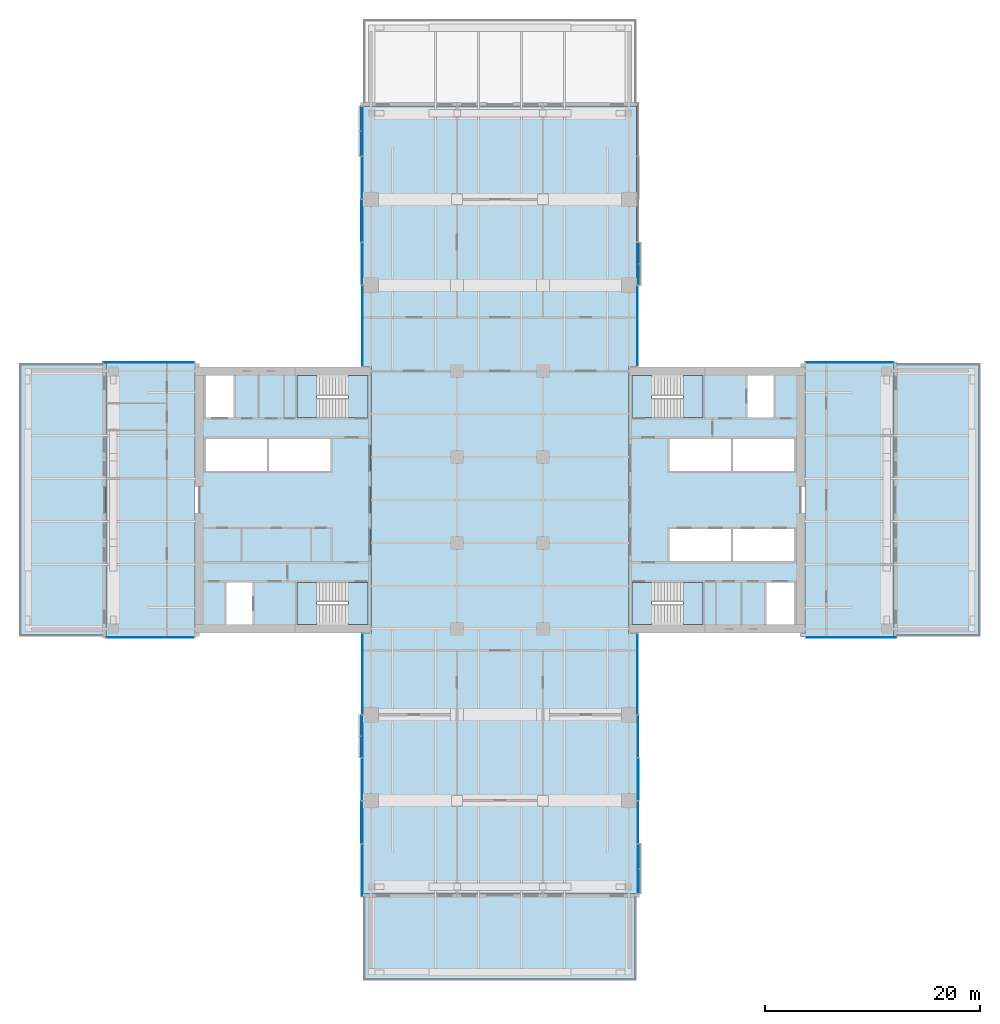
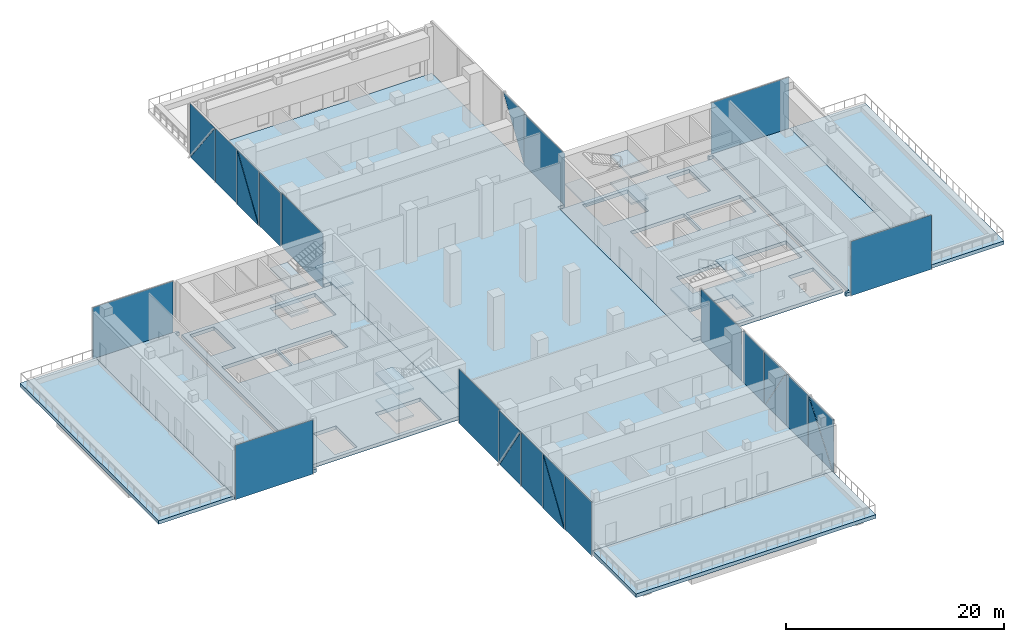
# One storey, part 12 of 23: 27 plates, 20 slabs, 16 elements without a shape of their own.
"""IFC4 building model written with IfcOpenShell, lengths in metres."""

from ifc_helpers import new_model, si_unit, direction, frame, origin, place, context, subcontext, project, spatial, polyline, outline, extrude, material, layer, layer_set, type_object, element, aggregate, save


model = new_model("IFC4")

# Units and contexts
model_context = context("Model", 3, precision=1e-05, world=origin(), true_north=direction((0.0, 1.0)))
body_context = subcontext(model_context, "Body", "Model", "MODEL_VIEW")
ifc_project = project(units=[si_unit("LENGTHUNIT", "METRE"), si_unit("AREAUNIT", "SQUARE_METRE"), si_unit("VOLUMEUNIT", "CUBIC_METRE"), si_unit("PLANEANGLEUNIT", "RADIAN"), si_unit("MASSUNIT", "GRAM", prefix="KILO")], contexts=[model_context])

# Site, building, storey
site_placement = place(None, origin())
site = spatial("IfcSite", under=ifc_project, at=site_placement, CompositionType="ELEMENT")
building_placement = place(site_placement, origin())
building = spatial("IfcBuilding", under=site, at=building_placement, Name="Crosswind Convention Tower", CompositionType="ELEMENT")
storey_placement = place(building_placement, frame((0.0, 0.0, 47.5)))
storey = spatial("IfcBuildingStorey", under=building, at=storey_placement, Name="L06", CompositionType="ELEMENT", Elevation=47.5)

# Slabs
ifc_material_1 = material(Name="Concrete C40/50", Category="concrete")
ifc_layer_1 = layer(ifc_material_1, 0.39990234375)
ifc_layer_set_1 = layer_set([ifc_layer_1], Name="Concrete C40/50")
slab_type_1 = type_object("IfcSlabType", Name="Composite floor slab 400", PredefinedType="FLOOR", material=ifc_layer_set_1)
slab_1_placement = place(storey_placement, frame((0.0, 0.0, -0.39990234375)))
element("IfcSlab", 1, at=slab_1_placement, inside=storey, type_object=slab_type_1, Name="Floor slab L06 part 1", PredefinedType="FLOOR", context=body_context, shape_type="SweptSolid", body=[
    extrude(outline(polyline([(97.0, 87.300048828125), (89.0, 87.300048828125), (88.300048828125, 87.300048828125), (88.300048828125, 88.0), (88.300048828125, 112.0), (88.300048828125, 112.699951171875), (89.0, 112.699951171875), (97.0, 112.699951171875), (97.0, 112.449951171875), (96.550048828125, 112.449951171875), (96.550048828125, 87.550048828125), (97.0, 87.550048828125), (97.0, 87.300048828125)])), origin(), (0.0, 0.0, 1.0), 0.39990234375),
])
slab_2_placement = place(storey_placement, frame((0.0, 0.0, -0.39990234375)))
element("IfcSlab", 2, at=slab_2_placement, inside=storey, type_object=slab_type_1, Name="Floor slab L06 part 2", PredefinedType="FLOOR", context=body_context, shape_type="SweptSolid", body=[
    extrude(outline(polyline([(112.300048828125, 87.550048828125), (113.0, 87.550048828125), (113.0, 112.449951171875), (112.300048828125, 112.449951171875), (112.300048828125, 136.0), (112.300048828125, 136.699951171875), (113.0, 136.699951171875), (137.0, 136.699951171875), (137.699951171875, 136.699951171875), (137.699951171875, 136.0), (137.699951171875, 112.449951171875), (137.0, 112.449951171875), (137.0, 87.550048828125), (137.699951171875, 87.550048828125), (137.699951171875, 64.0), (137.699951171875, 63.300048828125), (137.0, 63.300048828125), (113.0, 63.300048828125), (112.300048828125, 63.300048828125), (112.300048828125, 64.0), (112.300048828125, 87.550048828125)])), origin(), (0.0, 0.0, 1.0), 0.39990234375),
])
slab_3_placement = place(storey_placement, frame((0.0, 0.0, -0.39990234375)))
element("IfcSlab", 3, at=slab_3_placement, inside=storey, type_object=slab_type_1, Name="Floor slab L06 part 3", PredefinedType="FLOOR", context=body_context, shape_type="SweptSolid", body=[
    extrude(outline(polyline([(153.0, 112.699951171875), (161.0, 112.699951171875), (161.699951171875, 112.699951171875), (161.699951171875, 112.0), (161.699951171875, 88.0), (161.699951171875, 87.300048828125), (161.0, 87.300048828125), (153.0, 87.300048828125), (153.0, 87.550048828125), (153.449951171875, 87.550048828125), (153.449951171875, 112.449951171875), (153.0, 112.449951171875), (153.0, 112.699951171875)])), origin(), (0.0, 0.0, 1.0), 0.39990234375),
])
ifc_layer_2 = layer(ifc_material_1, 0.39990234375)
ifc_layer_set_2 = layer_set([ifc_layer_2], Name="Concrete C40/50")
slab_type_2 = type_object("IfcSlabType", Name="Concrete core floor slab 400", PredefinedType="FLOOR", material=ifc_layer_set_2)
slab_4_placement = place(storey_placement, frame((0.0, 0.0, -0.39990234375)))
element("IfcSlab", 4, at=slab_4_placement, inside=storey, type_object=slab_type_2, Name="Core floor slab E L06", PredefinedType="FLOOR", context=body_context, shape_type="SweptSolid", body=[
    extrude(outline(polyline([(137.0, 88.0), (153.0, 88.0), (153.0, 112.0), (137.0, 112.0), (137.0, 88.0)]), holes=[polyline([(146.5, 102.699951171875), (146.5, 105.699951171875), (140.800048828125, 105.699951171875), (140.800048828125, 102.699951171875), (146.5, 102.699951171875)]), polyline([(152.39990234375, 102.699951171875), (152.39990234375, 105.699951171875), (146.699951171875, 105.699951171875), (146.699951171875, 102.699951171875), (152.39990234375, 102.699951171875)]), polyline([(146.5, 94.300048828125), (146.5, 97.300048828125), (140.800048828125, 97.300048828125), (140.800048828125, 94.300048828125), (146.5, 94.300048828125)]), polyline([(152.39990234375, 94.300048828125), (152.39990234375, 97.300048828125), (146.699951171875, 97.300048828125), (146.699951171875, 94.300048828125), (152.39990234375, 94.300048828125)]), polyline([(150.449951171875, 107.699951171875), (150.449951171875, 111.60009765625), (148.050048828125, 111.60009765625), (148.050048828125, 107.699951171875), (150.449951171875, 107.699951171875)]), polyline([(152.39990234375, 88.39990234375), (152.39990234375, 92.300048828125), (149.800048828125, 92.300048828125), (149.800048828125, 88.39990234375), (152.39990234375, 88.39990234375)]), polyline([(143.89990234375, 107.699951171875), (143.89990234375, 111.60009765625), (139.14990234375, 111.60009765625), (139.14990234375, 107.699951171875), (143.89990234375, 107.699951171875)]), polyline([(143.89990234375, 88.39990234375), (143.89990234375, 92.300048828125), (139.14990234375, 92.300048828125), (139.14990234375, 88.39990234375), (143.89990234375, 88.39990234375)])]), origin(), (0.0, 0.0, 1.0), 0.39990234375),
])
slab_5_placement = place(storey_placement, frame((0.0, 0.0, -0.39990234375)))
element("IfcSlab", 5, at=slab_5_placement, inside=storey, type_object=slab_type_2, Name="Core floor slab W L06", PredefinedType="FLOOR", context=body_context, shape_type="SweptSolid", body=[
    extrude(outline(polyline([(97.0, 88.0), (113.0, 88.0), (113.0, 112.0), (97.0, 112.0), (97.0, 88.0)]), holes=[polyline([(109.199951171875, 102.699951171875), (109.199951171875, 105.699951171875), (103.5, 105.699951171875), (103.5, 102.699951171875), (109.199951171875, 102.699951171875)]), polyline([(103.300048828125, 102.699951171875), (103.300048828125, 105.699951171875), (97.60009765625, 105.699951171875), (97.60009765625, 102.699951171875), (103.300048828125, 102.699951171875)]), polyline([(101.949951171875, 88.39990234375), (101.949951171875, 92.300048828125), (99.550048828125, 92.300048828125), (99.550048828125, 88.39990234375), (101.949951171875, 88.39990234375)]), polyline([(100.199951171875, 107.699951171875), (100.199951171875, 111.60009765625), (97.60009765625, 111.60009765625), (97.60009765625, 107.699951171875), (100.199951171875, 107.699951171875)]), polyline([(110.85009765625, 88.39990234375), (110.85009765625, 92.300048828125), (106.10009765625, 92.300048828125), (106.10009765625, 88.39990234375), (110.85009765625, 88.39990234375)]), polyline([(110.85009765625, 107.699951171875), (110.85009765625, 111.60009765625), (106.10009765625, 111.60009765625), (106.10009765625, 107.699951171875), (110.85009765625, 107.699951171875)])]), origin(), (0.0, 0.0, 1.0), 0.39990234375),
])

# Stair, slabs
stair_type = type_object("IfcStairType", Name="Exit stair 1800 wide, 4 flights of 11 risers", PredefinedType="HALF_TURN_STAIR", material=ifc_material_1)
stair_1_placement = place(storey_placement, origin())
stair_1 = element("IfcStair", 6, at=stair_1_placement, inside=storey, type_object=stair_type, Name="Exit stair ST1 L06", ObjectType="ST6", PredefinedType="HALF_TURN_STAIR")
ifc_layer_3 = layer(ifc_material_1, 0.199951171875)
ifc_layer_set_3 = layer_set([ifc_layer_3], Name="Concrete C40/50")
slab_type_3 = type_object("IfcSlabType", Name="Stair landing 200", PredefinedType="LANDING", material=ifc_layer_set_3)
slab_6_placement = place(storey_placement, frame((0.0, 0.0, 1.300048828125)))
slab_6 = element("IfcSlab", 7, at=slab_6_placement, type_object=slab_type_3, Name="ST1 landing 1", PredefinedType="LANDING", context=body_context, shape_type="SweptSolid", body=[
    extrude(outline(polyline([(143.89990234375, 107.699951171875), (143.89990234375, 111.60009765625), (142.050048828125, 111.60009765625), (142.050048828125, 107.699951171875), (143.89990234375, 107.699951171875)])), origin(), (0.0, 0.0, 1.0), 0.199951171875),
])
slab_7_placement = place(storey_placement, frame((0.0, 0.0, 2.800048828125)))
slab_7 = element("IfcSlab", 8, at=slab_7_placement, type_object=slab_type_3, Name="ST1 landing 2", PredefinedType="LANDING", context=body_context, shape_type="SweptSolid", body=[
    extrude(outline(polyline([(139.14990234375, 107.699951171875), (139.14990234375, 111.60009765625), (137.300048828125, 111.60009765625), (137.300048828125, 107.699951171875), (139.14990234375, 107.699951171875)])), origin(), (0.0, 0.0, 1.0), 0.199951171875),
])
slab_8_placement = place(storey_placement, frame((0.0, 0.0, 4.300048828125)))
slab_8 = element("IfcSlab", 9, at=slab_8_placement, type_object=slab_type_3, Name="ST1 landing 3", PredefinedType="LANDING", context=body_context, shape_type="SweptSolid", body=[
    extrude(outline(polyline([(143.89990234375, 107.699951171875), (143.89990234375, 111.60009765625), (142.050048828125, 111.60009765625), (142.050048828125, 107.699951171875), (143.89990234375, 107.699951171875)])), origin(), (0.0, 0.0, 1.0), 0.199951171875),
])
aggregate(stair_1, [slab_6, slab_7, slab_8])

stair_2_placement = place(storey_placement, origin())
stair_2 = element("IfcStair", 10, at=stair_2_placement, inside=storey, type_object=stair_type, Name="Exit stair ST2 L06", ObjectType="ST6", PredefinedType="HALF_TURN_STAIR")
slab_9_placement = place(storey_placement, frame((0.0, 0.0, 1.300048828125)))
slab_9 = element("IfcSlab", 11, at=slab_9_placement, type_object=slab_type_3, Name="ST2 landing 1", PredefinedType="LANDING", context=body_context, shape_type="SweptSolid", body=[
    extrude(outline(polyline([(143.89990234375, 88.39990234375), (143.89990234375, 92.300048828125), (142.050048828125, 92.300048828125), (142.050048828125, 88.39990234375), (143.89990234375, 88.39990234375)])), origin(), (0.0, 0.0, 1.0), 0.199951171875),
])
slab_10_placement = place(storey_placement, frame((0.0, 0.0, 2.800048828125)))
slab_10 = element("IfcSlab", 12, at=slab_10_placement, type_object=slab_type_3, Name="ST2 landing 2", PredefinedType="LANDING", context=body_context, shape_type="SweptSolid", body=[
    extrude(outline(polyline([(139.14990234375, 88.39990234375), (139.14990234375, 92.300048828125), (137.300048828125, 92.300048828125), (137.300048828125, 88.39990234375), (139.14990234375, 88.39990234375)])), origin(), (0.0, 0.0, 1.0), 0.199951171875),
])
slab_11_placement = place(storey_placement, frame((0.0, 0.0, 4.300048828125)))
slab_11 = element("IfcSlab", 13, at=slab_11_placement, type_object=slab_type_3, Name="ST2 landing 3", PredefinedType="LANDING", context=body_context, shape_type="SweptSolid", body=[
    extrude(outline(polyline([(143.89990234375, 88.39990234375), (143.89990234375, 92.300048828125), (142.050048828125, 92.300048828125), (142.050048828125, 88.39990234375), (143.89990234375, 88.39990234375)])), origin(), (0.0, 0.0, 1.0), 0.199951171875),
])
aggregate(stair_2, [slab_9, slab_10, slab_11])

stair_3_placement = place(storey_placement, origin())
stair_3 = element("IfcStair", 14, at=stair_3_placement, inside=storey, type_object=stair_type, Name="Exit stair ST3 L06", ObjectType="ST6", PredefinedType="HALF_TURN_STAIR")
slab_12_placement = place(storey_placement, frame((0.0, 0.0, 1.300048828125)))
slab_12 = element("IfcSlab", 15, at=slab_12_placement, type_object=slab_type_3, Name="ST3 landing 1", PredefinedType="LANDING", context=body_context, shape_type="SweptSolid", body=[
    extrude(outline(polyline([(107.949951171875, 88.39990234375), (107.949951171875, 92.300048828125), (106.10009765625, 92.300048828125), (106.10009765625, 88.39990234375), (107.949951171875, 88.39990234375)])), origin(), (0.0, 0.0, 1.0), 0.199951171875),
])
slab_13_placement = place(storey_placement, frame((0.0, 0.0, 2.800048828125)))
slab_13 = element("IfcSlab", 16, at=slab_13_placement, type_object=slab_type_3, Name="ST3 landing 2", PredefinedType="LANDING", context=body_context, shape_type="SweptSolid", body=[
    extrude(outline(polyline([(112.699951171875, 88.39990234375), (112.699951171875, 92.300048828125), (110.85009765625, 92.300048828125), (110.85009765625, 88.39990234375), (112.699951171875, 88.39990234375)])), origin(), (0.0, 0.0, 1.0), 0.199951171875),
])
slab_14_placement = place(storey_placement, frame((0.0, 0.0, 4.300048828125)))
slab_14 = element("IfcSlab", 17, at=slab_14_placement, type_object=slab_type_3, Name="ST3 landing 3", PredefinedType="LANDING", context=body_context, shape_type="SweptSolid", body=[
    extrude(outline(polyline([(107.949951171875, 88.39990234375), (107.949951171875, 92.300048828125), (106.10009765625, 92.300048828125), (106.10009765625, 88.39990234375), (107.949951171875, 88.39990234375)])), origin(), (0.0, 0.0, 1.0), 0.199951171875),
])
aggregate(stair_3, [slab_12, slab_13, slab_14])

stair_4_placement = place(storey_placement, origin())
stair_4 = element("IfcStair", 18, at=stair_4_placement, inside=storey, type_object=stair_type, Name="Exit stair ST4 L06", ObjectType="ST6", PredefinedType="HALF_TURN_STAIR")
slab_15_placement = place(storey_placement, frame((0.0, 0.0, 1.300048828125)))
slab_15 = element("IfcSlab", 19, at=slab_15_placement, type_object=slab_type_3, Name="ST4 landing 1", PredefinedType="LANDING", context=body_context, shape_type="SweptSolid", body=[
    extrude(outline(polyline([(107.949951171875, 107.699951171875), (107.949951171875, 111.60009765625), (106.10009765625, 111.60009765625), (106.10009765625, 107.699951171875), (107.949951171875, 107.699951171875)])), origin(), (0.0, 0.0, 1.0), 0.199951171875),
])
slab_16_placement = place(storey_placement, frame((0.0, 0.0, 2.800048828125)))
slab_16 = element("IfcSlab", 20, at=slab_16_placement, type_object=slab_type_3, Name="ST4 landing 2", PredefinedType="LANDING", context=body_context, shape_type="SweptSolid", body=[
    extrude(outline(polyline([(112.699951171875, 107.699951171875), (112.699951171875, 111.60009765625), (110.85009765625, 111.60009765625), (110.85009765625, 107.699951171875), (112.699951171875, 107.699951171875)])), origin(), (0.0, 0.0, 1.0), 0.199951171875),
])
slab_17_placement = place(storey_placement, frame((0.0, 0.0, 4.300048828125)))
slab_17 = element("IfcSlab", 21, at=slab_17_placement, type_object=slab_type_3, Name="ST4 landing 3", PredefinedType="LANDING", context=body_context, shape_type="SweptSolid", body=[
    extrude(outline(polyline([(107.949951171875, 107.699951171875), (107.949951171875, 111.60009765625), (106.10009765625, 111.60009765625), (106.10009765625, 107.699951171875), (107.949951171875, 107.699951171875)])), origin(), (0.0, 0.0, 1.0), 0.199951171875),
])
aggregate(stair_4, [slab_15, slab_16, slab_17])

# Slabs
ifc_layer_4 = layer(ifc_material_1, 0.39990234375)
ifc_layer_set_4 = layer_set([ifc_layer_4], Name="Concrete C40/50")
slab_type_4 = type_object("IfcSlabType", Name="TERRACE SLAB 400", PredefinedType="USERDEFINED", material=ifc_layer_set_4)
slab_18_placement = place(storey_placement, frame((0.0, 0.0, -0.39990234375)))
element("IfcSlab", 22, at=slab_18_placement, inside=storey, type_object=slab_type_4, Name="Terrace L06 W", ObjectType="TERRACE", PredefinedType="USERDEFINED", context=body_context, shape_type="SweptSolid", body=[
    extrude(outline(polyline([(80.300048828125, 88.0), (80.300048828125, 112.0), (80.300048828125, 112.699951171875), (81.0, 112.699951171875), (88.300048828125, 112.699951171875), (88.300048828125, 112.0), (88.300048828125, 88.0), (88.300048828125, 87.300048828125), (81.0, 87.300048828125), (80.300048828125, 87.300048828125), (80.300048828125, 88.0)])), origin(), (0.0, 0.0, 1.0), 0.39990234375),
])
slab_19_placement = place(storey_placement, frame((0.0, 0.0, -0.39990234375)))
element("IfcSlab", 23, at=slab_19_placement, inside=storey, type_object=slab_type_4, Name="Terrace L06 S", ObjectType="TERRACE", PredefinedType="USERDEFINED", context=body_context, shape_type="SweptSolid", body=[
    extrude(outline(polyline([(137.0, 63.300048828125), (137.699951171875, 63.300048828125), (137.699951171875, 56.0), (137.699951171875, 55.300048828125), (137.0, 55.300048828125), (113.0, 55.300048828125), (112.300048828125, 55.300048828125), (112.300048828125, 56.0), (112.300048828125, 63.300048828125), (113.0, 63.300048828125), (137.0, 63.300048828125)])), origin(), (0.0, 0.0, 1.0), 0.39990234375),
])
slab_20_placement = place(storey_placement, frame((0.0, 0.0, -0.39990234375)))
element("IfcSlab", 24, at=slab_20_placement, inside=storey, type_object=slab_type_4, Name="Terrace L06 E", ObjectType="TERRACE", PredefinedType="USERDEFINED", context=body_context, shape_type="SweptSolid", body=[
    extrude(outline(polyline([(169.699951171875, 112.0), (169.699951171875, 88.0), (169.699951171875, 87.300048828125), (169.0, 87.300048828125), (161.699951171875, 87.300048828125), (161.699951171875, 88.0), (161.699951171875, 112.0), (161.699951171875, 112.699951171875), (169.0, 112.699951171875), (169.699951171875, 112.699951171875), (169.699951171875, 112.0)])), origin(), (0.0, 0.0, 1.0), 0.39990234375),
])

# Curtain wall, plate
ifc_material_2 = material(Name="Aluminium unitised curtain wall", Category="aluminium")
curtain_wall_type_1 = type_object("IfcCurtainWallType", Name="CORE END SLOT WALL 160", PredefinedType="USERDEFINED", material=ifc_material_2)
curtain_wall_1_placement = place(storey_placement, origin())
curtain_wall_1 = element("IfcCurtainWall", 25, at=curtain_wall_1_placement, inside=storey, type_object=curtain_wall_type_1, Name="CW6 L06 E-N.1-1 slot", ObjectType="UNITISED", PredefinedType="USERDEFINED")
ifc_material_3 = material(Name="Laminated insulating glass unit", Category="glass")
ifc_layer_5 = layer(ifc_material_3, 0.02587890625)
ifc_layer_set_5 = layer_set([ifc_layer_5], Name="TRIANGULAR GLASS PANEL 26")
plate_type_1 = type_object("IfcPlateType", Name="TRIANGULAR GLASS PANEL 26", PredefinedType="CURTAIN_PANEL", material=ifc_layer_set_5)
plate_1_placement = place(storey_placement, frame((161.64990234375, 112.80712890625, -0.39990234375), z_axis=(0.0, 0.999999919109, 0.000402220223), x_axis=(-1.0, 0.0, 0.0)))
plate_1 = element("IfcPlate", 26, at=plate_1_placement, type_object=plate_type_1, Name="CW6 panel 1.1", PredefinedType="CURTAIN_PANEL", context=body_context, shape_type="SweptSolid", body=[
    extrude(outline(polyline([(0.0, 0.0), (8.199951171875, 0.0), (8.199951171875, 6.0698247097415035), (0.0, 6.0698247097415035), (0.0, 0.0)])), origin(), (0.0, 0.0, -1.0), 0.02587890625),
])
aggregate(curtain_wall_1, [plate_1])

curtain_wall_2_placement = place(storey_placement, origin())
curtain_wall_2 = element("IfcCurtainWall", 27, at=curtain_wall_2_placement, inside=storey, type_object=curtain_wall_type_1, Name="CW6 L06 N-E.1-1 slot", ObjectType="UNITISED", PredefinedType="USERDEFINED")
plate_2_placement = place(storey_placement, frame((137.80712890625, 112.449951171875, -0.39990234375), z_axis=(0.999999919109, 0.0, 0.000402220223), x_axis=(0.0, 1.0, 0.0)))
plate_2 = element("IfcPlate", 28, at=plate_2_placement, type_object=plate_type_1, Name="CW6 panel 1.1", PredefinedType="CURTAIN_PANEL", context=body_context, shape_type="SweptSolid", body=[
    extrude(outline(polyline([(0.0, 0.0), (7.5, 0.0), (7.5, 6.0698247097415035), (0.0, 6.0698247097415035), (0.0, 0.0)])), origin(), (0.0, 0.0, -1.0), 0.02587890625),
])
aggregate(curtain_wall_2, [plate_2])

curtain_wall_3_placement = place(storey_placement, origin())
curtain_wall_3 = element("IfcCurtainWall", 29, at=curtain_wall_3_placement, inside=storey, type_object=curtain_wall_type_1, Name="CW6 L06 N-W.1-3 slot", ObjectType="UNITISED", PredefinedType="USERDEFINED")
plate_3_placement = place(storey_placement, frame((112.19287109375, 119.949951171875, -0.39990234375), z_axis=(-0.999999919109, 0.0, 0.000402220223), x_axis=(0.0, -1.0, 0.0)))
plate_3 = element("IfcPlate", 30, at=plate_3_placement, type_object=plate_type_1, Name="CW6 panel 1.1", PredefinedType="CURTAIN_PANEL", context=body_context, shape_type="SweptSolid", body=[
    extrude(outline(polyline([(0.0, 0.0), (7.5, 0.0), (7.5, 6.0698247097415035), (0.0, 6.0698247097415035), (0.0, 0.0)])), origin(), (0.0, 0.0, -1.0), 0.02587890625),
])
aggregate(curtain_wall_3, [plate_3])

curtain_wall_4_placement = place(storey_placement, origin())
curtain_wall_4 = element("IfcCurtainWall", 31, at=curtain_wall_4_placement, inside=storey, type_object=curtain_wall_type_1, Name="CW6 L06 W-N.2-1 slot", ObjectType="UNITISED", PredefinedType="USERDEFINED")
plate_4_placement = place(storey_placement, frame((96.550048828125, 112.80712890625, -0.39990234375), z_axis=(0.0, 0.999999919109, 0.000402220223), x_axis=(-1.0, 0.0, 0.0)))
plate_4 = element("IfcPlate", 32, at=plate_4_placement, type_object=plate_type_1, Name="CW6 panel 1.1", PredefinedType="CURTAIN_PANEL", context=body_context, shape_type="SweptSolid", body=[
    extrude(outline(polyline([(0.0, 0.0), (8.5, 0.0), (8.5, 6.0698247097415035), (0.0, 6.0698247097415035), (0.0, 0.0)])), origin(), (0.0, 0.0, -1.0), 0.02587890625),
])
aggregate(curtain_wall_4, [plate_4])

curtain_wall_5_placement = place(storey_placement, origin())
curtain_wall_5 = element("IfcCurtainWall", 33, at=curtain_wall_5_placement, inside=storey, type_object=curtain_wall_type_1, Name="CW6 L06 W-S.1-1 slot", ObjectType="UNITISED", PredefinedType="USERDEFINED")
plate_5_placement = place(storey_placement, frame((88.35009765625, 87.19287109375, -0.39990234375), z_axis=(0.0, -0.999999919109, 0.000402220223), x_axis=(1.0, 0.0, 0.0)))
plate_5 = element("IfcPlate", 34, at=plate_5_placement, type_object=plate_type_1, Name="CW6 panel 1.1", PredefinedType="CURTAIN_PANEL", context=body_context, shape_type="SweptSolid", body=[
    extrude(outline(polyline([(0.0, 0.0), (8.199951171875, 0.0), (8.199951171875, 6.0698247097415035), (0.0, 6.0698247097415035), (0.0, 0.0)])), origin(), (0.0, 0.0, -1.0), 0.02587890625),
])
aggregate(curtain_wall_5, [plate_5])

curtain_wall_6_placement = place(storey_placement, origin())
curtain_wall_6 = element("IfcCurtainWall", 35, at=curtain_wall_6_placement, inside=storey, type_object=curtain_wall_type_1, Name="CW6 L06 S-W.1-1 slot", ObjectType="UNITISED", PredefinedType="USERDEFINED")
plate_6_placement = place(storey_placement, frame((112.19287109375, 87.550048828125, -0.39990234375), z_axis=(-0.999999919109, 0.0, 0.000402220223), x_axis=(0.0, -1.0, 0.0)))
plate_6 = element("IfcPlate", 36, at=plate_6_placement, type_object=plate_type_1, Name="CW6 panel 1.1", PredefinedType="CURTAIN_PANEL", context=body_context, shape_type="SweptSolid", body=[
    extrude(outline(polyline([(0.0, 0.0), (7.5, 0.0), (7.5, 6.0698247097415035), (0.0, 6.0698247097415035), (0.0, 0.0)])), origin(), (0.0, 0.0, -1.0), 0.02587890625),
])
aggregate(curtain_wall_6, [plate_6])

curtain_wall_7_placement = place(storey_placement, origin())
curtain_wall_7 = element("IfcCurtainWall", 37, at=curtain_wall_7_placement, inside=storey, type_object=curtain_wall_type_1, Name="CW6 L06 S-E.1-3 slot", ObjectType="UNITISED", PredefinedType="USERDEFINED")
plate_7_placement = place(storey_placement, frame((137.80712890625, 80.050048828125, -0.39990234375), z_axis=(0.999999919109, 0.0, 0.000402220223), x_axis=(0.0, 1.0, 0.0)))
plate_7 = element("IfcPlate", 38, at=plate_7_placement, type_object=plate_type_1, Name="CW6 panel 1.1", PredefinedType="CURTAIN_PANEL", context=body_context, shape_type="SweptSolid", body=[
    extrude(outline(polyline([(0.0, 0.0), (7.5, 0.0), (7.5, 6.0698247097415035), (0.0, 6.0698247097415035), (0.0, 0.0)])), origin(), (0.0, 0.0, -1.0), 0.02587890625),
])
aggregate(curtain_wall_7, [plate_7])

curtain_wall_8_placement = place(storey_placement, origin())
curtain_wall_8 = element("IfcCurtainWall", 39, at=curtain_wall_8_placement, inside=storey, type_object=curtain_wall_type_1, Name="CW6 L06 E-S.2-1 slot", ObjectType="UNITISED", PredefinedType="USERDEFINED")
plate_8_placement = place(storey_placement, frame((153.449951171875, 87.19287109375, -0.39990234375), z_axis=(0.0, -0.999999919109, 0.000402220223), x_axis=(1.0, 0.0, 0.0)))
plate_8 = element("IfcPlate", 40, at=plate_8_placement, type_object=plate_type_1, Name="CW6 panel 1.1", PredefinedType="CURTAIN_PANEL", context=body_context, shape_type="SweptSolid", body=[
    extrude(outline(polyline([(0.0, 0.0), (8.5, 0.0), (8.5, 6.0698247097415035), (0.0, 6.0698247097415035), (0.0, 0.0)])), origin(), (0.0, 0.0, -1.0), 0.02587890625),
])
aggregate(curtain_wall_8, [plate_8])

curtain_wall_type_2 = type_object("IfcCurtainWallType", Name="SKY LOBBY AND LOUNGE WALL 280", PredefinedType="USERDEFINED", material=ifc_material_2)
curtain_wall_9_placement = place(storey_placement, origin())
curtain_wall_9 = element("IfcCurtainWall", 41, at=curtain_wall_9_placement, inside=storey, type_object=curtain_wall_type_2, Name="CW4 L06 N-E 1", ObjectType="UNITISED", PredefinedType="USERDEFINED")
ifc_layer_6 = layer(ifc_material_3, 0.0400390625)
ifc_layer_set_6 = layer_set([ifc_layer_6], Name="TRIANGULAR GLASS PANEL 40")
plate_type_2 = type_object("IfcPlateType", Name="TRIANGULAR GLASS PANEL 40", PredefinedType="CURTAIN_PANEL", material=ifc_layer_set_6)
plate_9_placement = place(storey_placement, frame((137.9208984375, 120.03759765625, 5.64501953125), z_axis=(0.999999933536, 0.0, 0.000364593859), x_axis=(0.000364593859, 0.0, -0.999999933536)))
plate_9 = element("IfcPlate", 42, at=plate_9_placement, type_object=plate_type_2, Name="CW4 panel 1.2", PredefinedType="CURTAIN_PANEL", context=body_context, shape_type="SweptSolid", body=[
    extrude(outline(polyline([(0.0, 0.0), (6.02661172867979, 0.0), (0.0, 3.913085937500001), (0.0, 0.0)])), origin(), (0.0, 0.0, -1.0), 0.0400390625),
])
aggregate(curtain_wall_9, [plate_9])

# Curtain wall, plates
curtain_wall_10_placement = place(storey_placement, origin())
curtain_wall_10 = element("IfcCurtainWall", 43, at=curtain_wall_10_placement, inside=storey, type_object=curtain_wall_type_2, Name="CW4 L06 N-W 1", ObjectType="UNITISED", PredefinedType="USERDEFINED")
plate_10_placement = place(storey_placement, frame((112.118896484375, 132.03759765625, -0.39990234375), z_axis=(-0.999999933573, 0.0, 0.000364490499), x_axis=(0.000364490499, 0.0, 0.999999933573)))
plate_10 = element("IfcPlate", 44, at=plate_10_placement, type_object=plate_type_2, Name="CW4 panel 1.1", PredefinedType="CURTAIN_PANEL", context=body_context, shape_type="SweptSolid", body=[
    extrude(outline(polyline([(0.0, 0.0), (6.028320712941235, 0.0), (0.0, 4.574951171875), (0.0, 0.0)])), origin(), (0.0, 0.0, -1.0), 0.0400390625),
])
plate_11_placement = place(storey_placement, frame((112.0791015625, 136.625, 5.64501953125), z_axis=(-0.999999933579, 0.0, 0.000364475738), x_axis=(-0.000364475738, 0.0, -0.999999933579)))
plate_11 = element("IfcPlate", 45, at=plate_11_placement, type_object=plate_type_2, Name="CW4 panel 1.2", PredefinedType="CURTAIN_PANEL", context=body_context, shape_type="SweptSolid", body=[
    extrude(outline(polyline([(0.0, 0.0), (6.0285648535500185, 0.0), (0.0, 4.574951171875), (0.0, 0.0)])), origin(), (0.0, 0.0, -1.0), 0.0400390625),
])
plate_12_placement = place(storey_placement, frame((112.118896484375, 131.96240234375, -0.39990234375), z_axis=(-0.999999933938, 0.0, 0.000363489475), x_axis=(0.0, -1.0, 0.0)))
plate_12 = element("IfcPlate", 46, at=plate_12_placement, type_object=plate_type_2, Name="CW4 panel 2.1", PredefinedType="CURTAIN_PANEL", context=body_context, shape_type="SweptSolid", body=[
    extrude(outline(polyline([(0.0, 0.0), (3.9248046875, 0.0), (3.9248046875, 6.044922274341477), (0.0, 6.044922274341477), (0.0, 0.0)])), origin(), (0.0, 0.0, -1.0), 0.0400390625),
])
plate_13_placement = place(storey_placement, frame((112.12109375, 124.03759765625, 5.64501953125), z_axis=(-0.999999933536, 0.0, 0.000364593859), x_axis=(0.0, 1.0, 0.0)))
plate_13 = element("IfcPlate", 47, at=plate_13_placement, type_object=plate_type_2, Name="CW4 panel 3.1", PredefinedType="CURTAIN_PANEL", context=body_context, shape_type="SweptSolid", body=[
    extrude(outline(polyline([(0.0, 0.0), (3.9130859375, 0.0), (0.0, 6.02661172867979), (0.0, 0.0)])), origin(), (0.0, 0.0, -1.0), 0.0400390625),
])
plate_14_placement = place(storey_placement, frame((112.076904296875, 127.96240234375, -0.39990234375), z_axis=(-0.999999933536, 0.0, 0.000364593859), x_axis=(0.0, -1.0, 0.0)))
plate_14 = element("IfcPlate", 48, at=plate_14_placement, type_object=plate_type_2, Name="CW4 panel 3.2", PredefinedType="CURTAIN_PANEL", context=body_context, shape_type="SweptSolid", body=[
    extrude(outline(polyline([(0.0, 0.0), (3.9130859375, 0.0), (0.0, 6.02661172867979), (0.0, 0.0)])), origin(), (0.0, 0.0, -1.0), 0.0400390625),
])
plate_15_placement = place(storey_placement, frame((112.118896484375, 123.96240234375, -0.39990234375), z_axis=(-0.999999933938, 0.0, 0.000363489475), x_axis=(0.0, -1.0, 0.0)))
plate_15 = element("IfcPlate", 49, at=plate_15_placement, type_object=plate_type_2, Name="CW4 panel 4.1", PredefinedType="CURTAIN_PANEL", context=body_context, shape_type="SweptSolid", body=[
    extrude(outline(polyline([(0.0, 0.0), (3.9248046875, 0.0), (3.9248046875, 6.044922274341477), (0.0, 6.044922274341477), (0.0, 0.0)])), origin(), (0.0, 0.0, -1.0), 0.0400390625),
])
aggregate(curtain_wall_10, [plate_10, plate_11, plate_12, plate_13, plate_14, plate_15])

curtain_wall_11_placement = place(storey_placement, origin())
curtain_wall_11 = element("IfcCurtainWall", 50, at=curtain_wall_11_placement, inside=storey, type_object=curtain_wall_type_2, Name="CW4 L06 S-W 1", ObjectType="UNITISED", PredefinedType="USERDEFINED")
plate_16_placement = place(storey_placement, frame((112.118896484375, 76.03759765625, -0.39990234375), z_axis=(-0.999999933536, 0.0, 0.000364593859), x_axis=(0.000364593859, 0.0, 0.999999933536)))
plate_16 = element("IfcPlate", 51, at=plate_16_placement, type_object=plate_type_2, Name="CW4 panel 1.1", PredefinedType="CURTAIN_PANEL", context=body_context, shape_type="SweptSolid", body=[
    extrude(outline(polyline([(0.0, 0.0), (6.02661172867979, 0.0), (0.0, 3.913085937500001), (0.0, 0.0)])), origin(), (0.0, 0.0, -1.0), 0.0400390625),
])
plate_17_placement = place(storey_placement, frame((112.0791015625, 79.96240234375, 5.64501953125), z_axis=(-0.999999933536, 0.0, 0.000364593859), x_axis=(-0.000364593859, 0.0, -0.999999933536)))
plate_17 = element("IfcPlate", 52, at=plate_17_placement, type_object=plate_type_2, Name="CW4 panel 1.2", PredefinedType="CURTAIN_PANEL", context=body_context, shape_type="SweptSolid", body=[
    extrude(outline(polyline([(0.0, 0.0), (6.02661172867979, 0.0), (0.0, 3.913085937500001), (0.0, 0.0)])), origin(), (0.0, 0.0, -1.0), 0.0400390625),
])
plate_18_placement = place(storey_placement, frame((112.118896484375, 75.96240234375, -0.39990234375), z_axis=(-0.999999933938, 0.0, 0.000363489475), x_axis=(0.0, -1.0, 0.0)))
plate_18 = element("IfcPlate", 53, at=plate_18_placement, type_object=plate_type_2, Name="CW4 panel 2.1", PredefinedType="CURTAIN_PANEL", context=body_context, shape_type="SweptSolid", body=[
    extrude(outline(polyline([(0.0, 0.0), (3.9248046875, 0.0), (3.9248046875, 6.044922274341477), (0.0, 6.044922274341477), (0.0, 0.0)])), origin(), (0.0, 0.0, -1.0), 0.0400390625),
])
plate_19_placement = place(storey_placement, frame((112.12109375, 68.03759765625, 5.64501953125), z_axis=(-0.999999933536, 0.0, 0.000364593859), x_axis=(0.0, 1.0, 0.0)))
plate_19 = element("IfcPlate", 54, at=plate_19_placement, type_object=plate_type_2, Name="CW4 panel 3.1", PredefinedType="CURTAIN_PANEL", context=body_context, shape_type="SweptSolid", body=[
    extrude(outline(polyline([(0.0, 0.0), (3.9130859375, 0.0), (0.0, 6.02661172867979), (0.0, 0.0)])), origin(), (0.0, 0.0, -1.0), 0.0400390625),
])
plate_20_placement = place(storey_placement, frame((112.076904296875, 71.96240234375, -0.39990234375), z_axis=(-0.999999933536, 0.0, 0.000364593859), x_axis=(0.0, -1.0, 0.0)))
plate_20 = element("IfcPlate", 55, at=plate_20_placement, type_object=plate_type_2, Name="CW4 panel 3.2", PredefinedType="CURTAIN_PANEL", context=body_context, shape_type="SweptSolid", body=[
    extrude(outline(polyline([(0.0, 0.0), (3.9130859375, 0.0), (0.0, 6.02661172867979), (0.0, 0.0)])), origin(), (0.0, 0.0, -1.0), 0.0400390625),
])
plate_21_placement = place(storey_placement, frame((112.118896484375, 67.96240234375, -0.39990234375), z_axis=(-0.999999933938, 0.0, 0.000363489475), x_axis=(0.0, -1.0, 0.0)))
plate_21 = element("IfcPlate", 56, at=plate_21_placement, type_object=plate_type_2, Name="CW4 panel 4.1", PredefinedType="CURTAIN_PANEL", context=body_context, shape_type="SweptSolid", body=[
    extrude(outline(polyline([(0.0, 0.0), (4.887451171875, 0.0), (4.887451171875, 6.044922274341477), (0.0, 6.044922274341477), (0.0, 0.0)])), origin(), (0.0, 0.0, -1.0), 0.0400390625),
])
aggregate(curtain_wall_11, [plate_16, plate_17, plate_18, plate_19, plate_20, plate_21])

curtain_wall_12_placement = place(storey_placement, origin())
curtain_wall_12 = element("IfcCurtainWall", 57, at=curtain_wall_12_placement, inside=storey, type_object=curtain_wall_type_2, Name="CW4 L06 S-E 1", ObjectType="UNITISED", PredefinedType="USERDEFINED")
plate_22_placement = place(storey_placement, frame((137.881103515625, 67.96240234375, -0.39990234375), z_axis=(0.999999933573, 0.0, 0.000364490499), x_axis=(-0.000364490499, 0.0, 0.999999933573)))
plate_22 = element("IfcPlate", 58, at=plate_22_placement, type_object=plate_type_2, Name="CW4 panel 1.1", PredefinedType="CURTAIN_PANEL", context=body_context, shape_type="SweptSolid", body=[
    extrude(outline(polyline([(0.0, 0.0), (6.028320712941235, 0.0), (0.0, 4.574951171875), (0.0, 0.0)])), origin(), (0.0, 0.0, -1.0), 0.0400390625),
])
plate_23_placement = place(storey_placement, frame((137.9208984375, 63.375, 5.64501953125), z_axis=(0.999999933579, 0.0, 0.000364475738), x_axis=(0.000364475738, 0.0, -0.999999933579)))
plate_23 = element("IfcPlate", 59, at=plate_23_placement, type_object=plate_type_2, Name="CW4 panel 1.2", PredefinedType="CURTAIN_PANEL", context=body_context, shape_type="SweptSolid", body=[
    extrude(outline(polyline([(0.0, 0.0), (6.0285648535500185, 0.0), (0.0, 4.574951171875), (0.0, 0.0)])), origin(), (0.0, 0.0, -1.0), 0.0400390625),
])
plate_24_placement = place(storey_placement, frame((137.881103515625, 68.03759765625, -0.39990234375), z_axis=(0.999999933938, 0.0, 0.000363489475), x_axis=(0.0, 1.0, 0.0)))
plate_24 = element("IfcPlate", 60, at=plate_24_placement, type_object=plate_type_2, Name="CW4 panel 2.1", PredefinedType="CURTAIN_PANEL", context=body_context, shape_type="SweptSolid", body=[
    extrude(outline(polyline([(0.0, 0.0), (3.9248046875, 0.0), (3.9248046875, 6.044922274341477), (0.0, 6.044922274341477), (0.0, 0.0)])), origin(), (0.0, 0.0, -1.0), 0.0400390625),
])
plate_25_placement = place(storey_placement, frame((137.87890625, 75.96240234375, 5.64501953125), z_axis=(0.999999933536, 0.0, 0.000364593859), x_axis=(0.0, -1.0, 0.0)))
plate_25 = element("IfcPlate", 61, at=plate_25_placement, type_object=plate_type_2, Name="CW4 panel 3.1", PredefinedType="CURTAIN_PANEL", context=body_context, shape_type="SweptSolid", body=[
    extrude(outline(polyline([(0.0, 0.0), (3.9130859375, 0.0), (0.0, 6.02661172867979), (0.0, 0.0)])), origin(), (0.0, 0.0, -1.0), 0.0400390625),
])
plate_26_placement = place(storey_placement, frame((137.923095703125, 72.03759765625, -0.39990234375), z_axis=(0.999999933536, 0.0, 0.000364593859), x_axis=(0.0, 1.0, 0.0)))
plate_26 = element("IfcPlate", 62, at=plate_26_placement, type_object=plate_type_2, Name="CW4 panel 3.2", PredefinedType="CURTAIN_PANEL", context=body_context, shape_type="SweptSolid", body=[
    extrude(outline(polyline([(0.0, 0.0), (3.9130859375, 0.0), (0.0, 6.02661172867979), (0.0, 0.0)])), origin(), (0.0, 0.0, -1.0), 0.0400390625),
])
plate_27_placement = place(storey_placement, frame((137.881103515625, 76.03759765625, -0.39990234375), z_axis=(0.999999933938, 0.0, 0.000363489475), x_axis=(0.0, 1.0, 0.0)))
plate_27 = element("IfcPlate", 63, at=plate_27_placement, type_object=plate_type_2, Name="CW4 panel 4.1", PredefinedType="CURTAIN_PANEL", context=body_context, shape_type="SweptSolid", body=[
    extrude(outline(polyline([(0.0, 0.0), (3.9248046875, 0.0), (3.9248046875, 6.044922274341477), (0.0, 6.044922274341477), (0.0, 0.0)])), origin(), (0.0, 0.0, -1.0), 0.0400390625),
])
aggregate(curtain_wall_12, [plate_22, plate_23, plate_24, plate_25, plate_26, plate_27])

save(model, "model.ifc")
